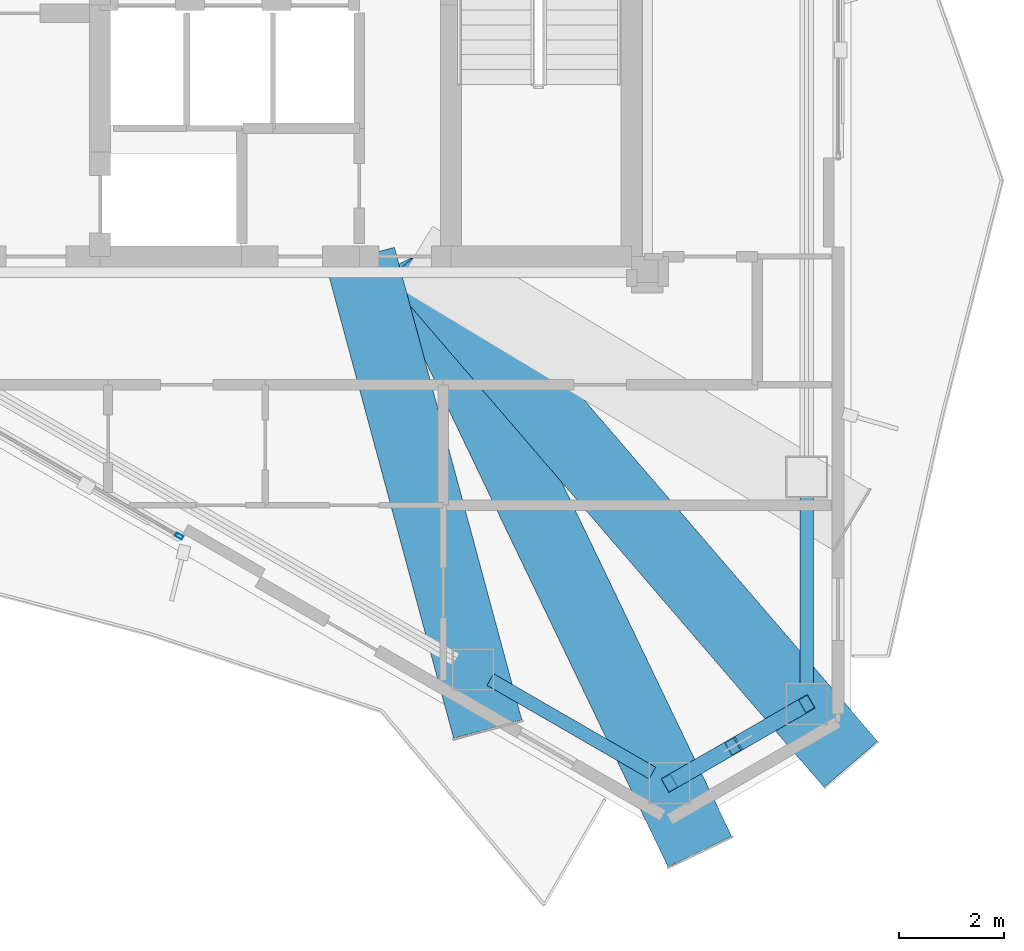
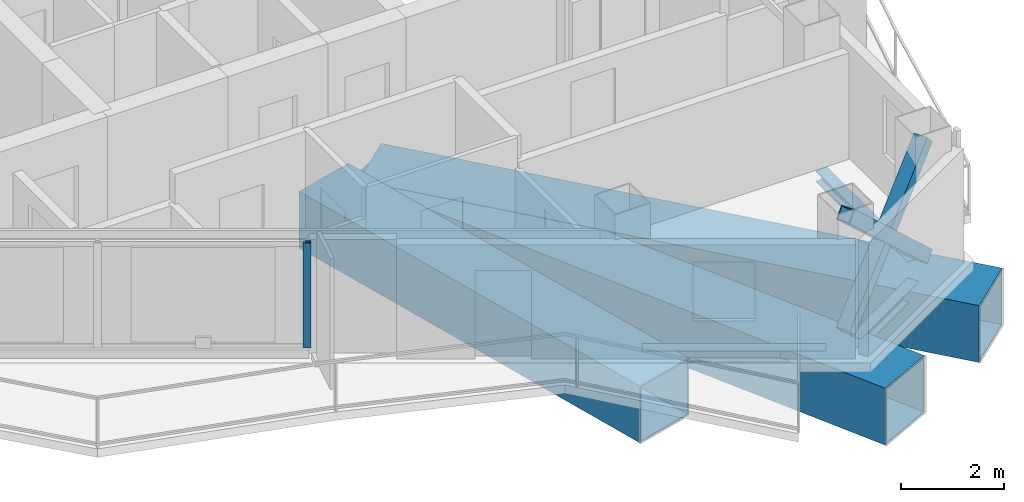
# One storey, part 4 of 17: 6 beams, 4 members, 1 element without a shape of its own.
"""IFC4 building model written with IfcOpenShell, lengths in metres."""

from ifc_helpers import new_model, si_unit, direction, frame, origin, origin_2d, place, context, subcontext, project, spatial, hollow_rectangle, i_section, extrude, material, layer, layer_set, material_profile, profile_set, type_object, element, aggregate, save


model = new_model("IFC4")

# Units and contexts
model_context = context("Model", 3, precision=1e-05, world=origin(), true_north=direction((0.0, 1.0)))
body_context = subcontext(model_context, "Body", "Model", "MODEL_VIEW")
ifc_project = project(units=[si_unit("LENGTHUNIT", "METRE"), si_unit("AREAUNIT", "SQUARE_METRE"), si_unit("VOLUMEUNIT", "CUBIC_METRE"), si_unit("PLANEANGLEUNIT", "RADIAN"), si_unit("MASSUNIT", "GRAM", prefix="KILO")], contexts=[model_context])

# Site, building, storey
site_placement = place(None, origin())
site = spatial("IfcSite", under=ifc_project, at=site_placement, CompositionType="ELEMENT")
building_placement = place(site_placement, origin())
building = spatial("IfcBuilding", under=site, at=building_placement, Name="Mersakhor Tower and Convention Hall", CompositionType="ELEMENT")
storey_placement = place(building_placement, frame((0.0, 0.0, 223.199951171875)))
storey = spatial("IfcBuildingStorey", under=building, at=storey_placement, Name="L62", CompositionType="ELEMENT", Elevation=223.199951171875)

# Beams
ifc_material_1 = material(Name="Steel S355", Category="steel")
ifc_material_profile_1 = material_profile(ifc_material_1, i_section(OverallWidth=0.25634765625, OverallDepth=0.26025390625, WebThickness=0.01025390625, FlangeThickness=0.017333984375, at=origin_2d()), Name="UC 254x254x89")
ifc_profile_set_1 = profile_set([ifc_material_profile_1], Name="Steel S355")
beam_type_1 = type_object("IfcBeamType", Name="BM-SPD-UC254", PredefinedType="SPANDREL", material=ifc_profile_set_1)
beam_1_placement = place(storey_placement, frame((39.142822265625, 16.1591796875, -0.35009765625), z_axis=(0.0, -1.0, 0.0), x_axis=(1.0, 0.0, 0.0)))
element("IfcBeam", 1, at=beam_1_placement, inside=storey, type_object=beam_type_1, Name="L62 Perimeter Spandrel Beam SPB-07", PredefinedType="SPANDREL", context=body_context, shape_type="SweptSolid", body=[
    extrude(i_section(OverallWidth=0.25634765625, OverallDepth=0.26025390625, WebThickness=0.01025390625, FlangeThickness=0.017333984375, at=origin_2d()), origin(), (0.0, 0.0, 1.0), 3.574462890625),
])
beam_2_placement = place(storey_placement, frame((38.813720703125, 12.0146484375, -0.35009765625), z_axis=(-0.866016678684, -0.500015112013, 0.0), x_axis=(0.500015112013, -0.866016678684, 0.0)))
element("IfcBeam", 2, at=beam_2_placement, inside=storey, type_object=beam_type_1, Name="L62 Perimeter Spandrel Beam SPB-08", PredefinedType="SPANDREL", context=body_context, shape_type="SweptSolid", body=[
    extrude(i_section(OverallWidth=0.25634765625, OverallDepth=0.26025390625, WebThickness=0.01025390625, FlangeThickness=0.017333984375, at=origin_2d()), origin(), (0.0, 0.0, 1.0), 2.2626953125),
])
beam_3_placement = place(storey_placement, frame((36.196044921875, 10.88330078125, -0.35009765625), z_axis=(-0.866002454009, 0.500039748071, 0.0), x_axis=(-0.500039748071, -0.866002454009, 0.0)))
element("IfcBeam", 3, at=beam_3_placement, inside=storey, type_object=beam_type_1, Name="L62 Perimeter Spandrel Beam SPB-09", PredefinedType="SPANDREL", context=body_context, shape_type="SweptSolid", body=[
    extrude(i_section(OverallWidth=0.25634765625, OverallDepth=0.26025390625, WebThickness=0.01025390625, FlangeThickness=0.017333984375, at=origin_2d()), origin(), (0.0, 0.0, 1.0), 3.574462890625),
])
ifc_material_2 = material(Name="Steel S460", Category="steel")
ifc_material_profile_2 = material_profile(ifc_material_2, hollow_rectangle(XDim=1.35009765625, YDim=1.35009765625, WallThickness=0.035888671875, at=origin_2d()), Name="SHS 1350x1350x36")
ifc_profile_set_2 = profile_set([ifc_material_profile_2], Name="Steel S460")
beam_type_2 = type_object("IfcBeamType", Name="BM-TR-BOX1350", PredefinedType="BEAM", material=ifc_profile_set_2)
beam_4_placement = place(storey_placement, frame((39.98828125, 11.048095703125, -0.89501953125), z_axis=(-0.651802933179, 0.75838838091, 0.0), x_axis=(-0.75838838091, -0.651802933179, 0.0)))
element("IfcBeam", 4, at=beam_4_placement, inside=storey, type_object=beam_type_2, Name="L62 Taper Step Transfer Girder STG-08", PredefinedType="BEAM", context=body_context, shape_type="SweptSolid", body=[
    extrude(hollow_rectangle(XDim=1.35009765625, YDim=1.35009765625, WallThickness=0.035888671875, at=origin_2d()), origin(), (0.0, 0.0, 1.0), 12.792724609375),
])
beam_5_placement = place(storey_placement, frame((37.10400390625, 9.3828125, -0.89501953125), z_axis=(-0.432592568072, 0.901589524146, 0.0), x_axis=(-0.901589524146, -0.432592568072, 0.0)))
element("IfcBeam", 5, at=beam_5_placement, inside=storey, type_object=beam_type_2, Name="L62 Taper Step Transfer Girder STG-09", PredefinedType="BEAM", context=body_context, shape_type="SweptSolid", body=[
    extrude(hollow_rectangle(XDim=1.35009765625, YDim=1.35009765625, WallThickness=0.035888671875, at=origin_2d()), origin(), (0.0, 0.0, 1.0), 12.60791015625),
])
beam_6_placement = place(storey_placement, frame((33.0517578125, 11.722412109375, -0.89501953125), z_axis=(-0.260330226876, 0.965519638834, 0.0), x_axis=(-0.965519638834, -0.260330226876, 0.0)))
element("IfcBeam", 6, at=beam_6_placement, inside=storey, type_object=beam_type_2, Name="L62 Taper Step Transfer Girder STG-10", PredefinedType="BEAM", context=body_context, shape_type="SweptSolid", body=[
    extrude(hollow_rectangle(XDim=1.35009765625, YDim=1.35009765625, WallThickness=0.035888671875, at=origin_2d()), origin(), (0.0, 0.0, 1.0), 9.35009765625),
])

# Curtain wall, member
ifc_material_3 = material(Name="Dark solar low-E aluminium curtain wall", Category="aluminium")
ifc_layer = layer(ifc_material_3, 0.179931640625)
ifc_layer_set = layer_set([ifc_layer], Name="Dark solar low-E aluminium curtain wall")
curtain_wall_type = type_object("IfcCurtainWallType", Name="CW-SYS-03", PredefinedType="USERDEFINED", material=ifc_layer_set)
curtain_wall_placement = place(storey_placement, origin())
curtain_wall = element("IfcCurtainWall", 7, at=curtain_wall_placement, inside=storey, type_object=curtain_wall_type, Name="L62 Dark-Glass Curtain Wall F3-B2", ObjectType="CURTAIN WALL", PredefinedType="USERDEFINED")
ifc_material_4 = material(Name="Anodised aluminium EN AW-6063 T6", Category="aluminium")
ifc_material_profile_3 = material_profile(ifc_material_4, hollow_rectangle(XDim=0.074951171875, YDim=0.14990234375, WallThickness=0.00634765625, at=origin_2d()), Name="RHS 150x75x6.3")
ifc_profile_set_3 = profile_set([ifc_material_profile_3], Name="Anodised aluminium EN AW-6063 T6")
member_type_1 = type_object("IfcMemberType", Name="CWM-150x75", PredefinedType="MULLION", material=ifc_profile_set_3)
member_1_placement = place(storey_placement, frame((27.158935546875, 15.408203125, 0.199951171875), z_axis=(0.0, 0.0, 1.0), x_axis=(-0.500004411169, -0.86602285698, 0.0)))
member_1 = element("IfcMember", 8, at=member_1_placement, type_object=member_type_1, Name="CW-03 mullion 1", PredefinedType="MULLION", context=body_context, shape_type="SweptSolid", body=[
    extrude(hollow_rectangle(XDim=0.074951171875, YDim=0.14990234375, WallThickness=0.00634765625, at=origin_2d()), origin(), (0.0, 0.0, 1.0), 2.5),
])
aggregate(curtain_wall, [member_1])

# Members
ifc_material_5 = material(Name="Steel S355", Category="steel")
ifc_material_profile_4 = material_profile(ifc_material_5, hollow_rectangle(XDim=0.300048828125, YDim=0.300048828125, WallThickness=0.01611328125, at=origin_2d()), Name="SHS 300x300x16")
ifc_profile_set_4 = profile_set([ifc_material_profile_4], Name="Steel S355")
member_type_2 = type_object("IfcMemberType", Name="MB-BRC-SHS300", PredefinedType="BRACE", material=ifc_profile_set_4)
member_2_placement = place(storey_placement, frame((39.142822265625, 12.20458984375, 0.150146484375), z_axis=(-0.637448673294, -0.368010379378, 0.676925069402), x_axis=(0.499978822259, -0.866037630414, 0.0)))
element("IfcMember", 9, at=member_2_placement, inside=storey, type_object=member_type_2, Name="L62 Chamfer Braced Frame Diagonal CB-2A", PredefinedType="BRACE", context=body_context, shape_type="SweptSolid", body=[
    extrude(hollow_rectangle(XDim=0.300048828125, YDim=0.300048828125, WallThickness=0.01611328125, at=origin_2d()), origin(), (0.0, 0.0, 1.0), 4.1064453125),
])
member_3_placement = place(storey_placement, frame((36.525146484375, 10.693359375, 0.150146484375), z_axis=(0.6374128848, 0.367990943802, 0.676969334291), x_axis=(-0.499980071345, 0.866036909293, 0.0)))
element("IfcMember", 10, at=member_3_placement, inside=storey, type_object=member_type_2, Name="L62 Chamfer Braced Frame Diagonal CB-2B Lower Half", PredefinedType="BRACE", context=body_context, shape_type="SweptSolid", body=[
    extrude(hollow_rectangle(XDim=0.300048828125, YDim=0.300048828125, WallThickness=0.01611328125, at=origin_2d()), origin(), (0.0, 0.0, 1.0), 1.894775390625),
])
member_4_placement = place(storey_placement, frame((37.93505859375, 11.50732421875, 1.6474609375), z_axis=(0.637468486011, 0.36802304347, 0.676899526383), x_axis=(-0.499980071345, 0.866036909293, 0.0)))
element("IfcMember", 11, at=member_4_placement, inside=storey, type_object=member_type_2, Name="L62 Chamfer Braced Frame Diagonal CB-2B Upper Half", PredefinedType="BRACE", context=body_context, shape_type="SweptSolid", body=[
    extrude(hollow_rectangle(XDim=0.300048828125, YDim=0.300048828125, WallThickness=0.01611328125, at=origin_2d()), origin(), (0.0, 0.0, 1.0), 1.89453125),
])

save(model, "model.ifc")
